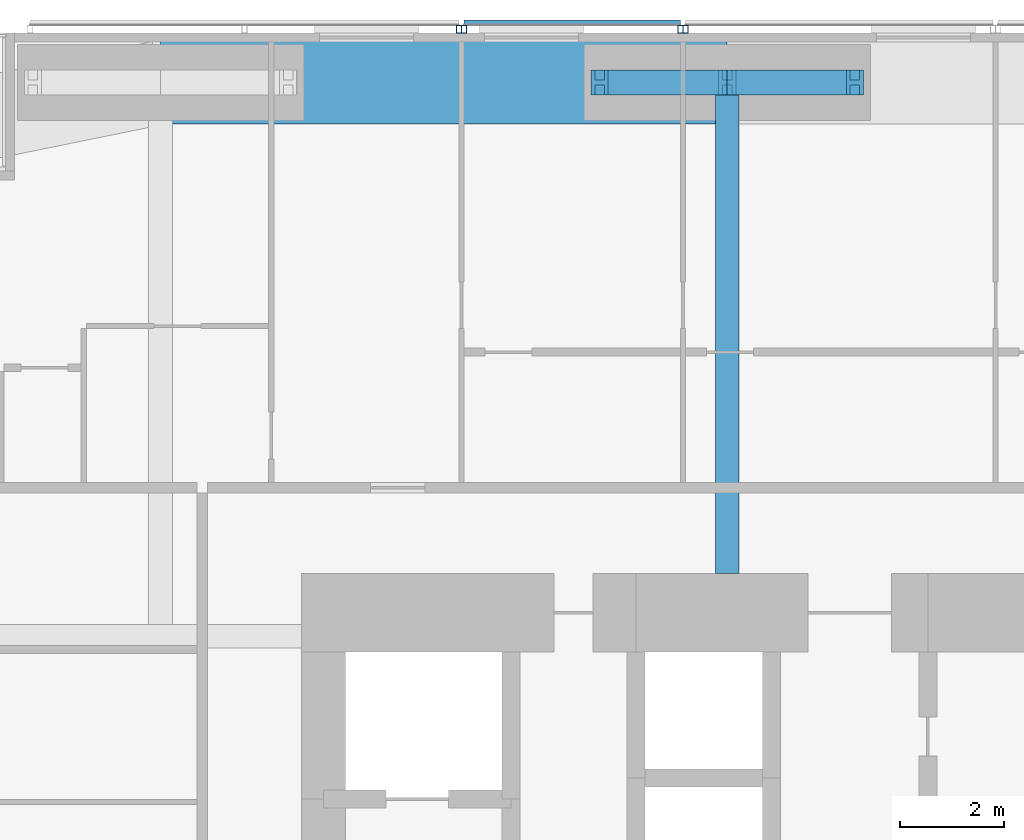
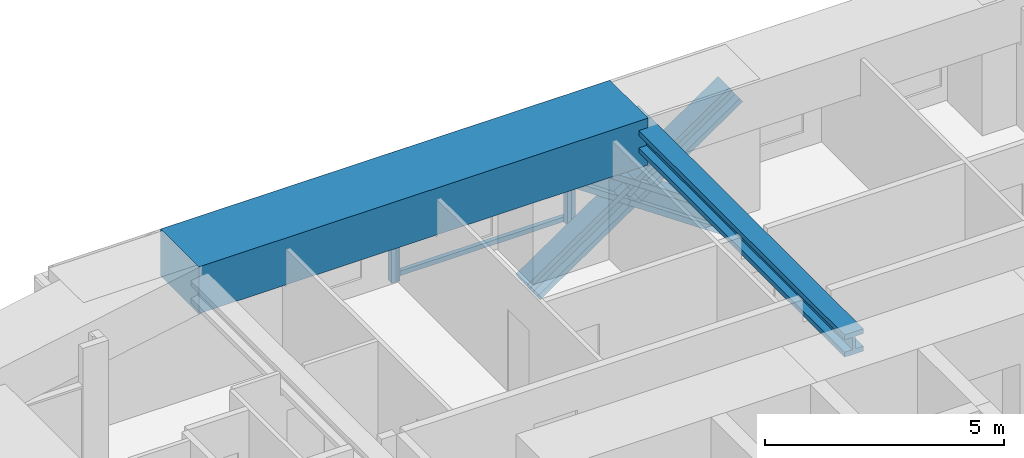
# One storey, part 12 of 23: 9 members, 2 beams, 3 elements without a shape of their own.
"""IFC4 building model written with IfcOpenShell, lengths in metres."""

from ifc_helpers import new_model, si_unit, direction, frame, origin, origin_2d, place, context, subcontext, project, spatial, rectangle, hollow_rectangle, i_section, extrude, material, material_profile, profile_set, type_object, element, aggregate, save


model = new_model("IFC4")

# Units and contexts
model_context = context("Model", 3, precision=1e-05, world=origin(), true_north=direction((0.0, 1.0)))
body_context = subcontext(model_context, "Body", "Model", "MODEL_VIEW")
ifc_project = project(units=[si_unit("LENGTHUNIT", "METRE"), si_unit("AREAUNIT", "SQUARE_METRE"), si_unit("VOLUMEUNIT", "CUBIC_METRE"), si_unit("PLANEANGLEUNIT", "RADIAN"), si_unit("MASSUNIT", "GRAM", prefix="KILO")], contexts=[model_context])

# Site, building, storey
site_placement = place(None, origin())
site = spatial("IfcSite", under=ifc_project, at=site_placement, CompositionType="ELEMENT")
building_placement = place(site_placement, origin())
building = spatial("IfcBuilding", under=site, at=building_placement, Name="Jalousie Tower", CompositionType="ELEMENT")
storey_placement = place(building_placement, frame((0.0, 0.0, 118.25)))
storey = spatial("IfcBuildingStorey", under=building, at=storey_placement, Name="L32", CompositionType="ELEMENT", Elevation=118.25)

# Beam
ifc_material_1 = material(Name="Steel ASTM A992 Grade 50", Category="steel")
ifc_material_profile_1 = material_profile(ifc_material_1, i_section(OverallWidth=0.45458984375, OverallDepth=0.569091796875, WebThickness=0.077880859375, FlangeThickness=0.124755859375, at=origin_2d()), Name="W14X730")
ifc_profile_set_1 = profile_set([ifc_material_profile_1], Name="Steel ASTM A992 Grade 50")
beam_type_1 = type_object("IfcBeamType", Name="LEAN COLLECTOR W14X730", PredefinedType="BEAM", material=ifc_profile_set_1)
beam_1_placement = place(storey_placement, frame((27.75, 37.050048828125, 2.825439453125), z_axis=(0.0, -1.0, 0.0), x_axis=(1.0, 0.0, 0.0)))
element("IfcBeam", 1, at=beam_1_placement, inside=storey, type_object=beam_type_1, Name="Lean collector under L33", PredefinedType="BEAM", context=body_context, shape_type="SweptSolid", body=[
    extrude(i_section(OverallWidth=0.45458984375, OverallDepth=0.569091796875, WebThickness=0.077880859375, FlangeThickness=0.124755859375, at=origin_2d()), origin(), (0.0, 0.0, 1.0), 9.425048828125),
])

# Members
ifc_material_2 = material(Name="Steel ASTM A992 Grade 50", Category="steel")
ifc_material_profile_2 = material_profile(ifc_material_2, i_section(OverallWidth=0.472412109375, OverallDepth=0.5791015625, WebThickness=0.094970703125, FlangeThickness=0.1298828125, at=origin_2d()), Name="W14X808")
ifc_profile_set_2 = profile_set([ifc_material_profile_2], Name="Steel ASTM A992 Grade 50")
member_type_1 = type_object("IfcMemberType", Name="PERIMETER BRACE W14X808", PredefinedType="BRACE", material=ifc_profile_set_2)
for number, where, z_axis, x_axis, name in (
    (2, (25.300048828125, 37.050048828125, -0.60009765625), (0.825500916831, 0.0, 0.564400776321), (0.0, 1.0, 0.0), "Perimeter brace 10 L32 part 1"),
    (3, (27.75, 37.050048828125, 1.074951171875), (0.825500916831, 0.0, 0.564400776321), (0.0, 1.0, 0.0), "Perimeter brace 10 L32 part 2"),
    (4, (30.199951171875, 37.050048828125, -0.60009765625), (-0.825500916831, 0.0, 0.564400776321), (0.0, -1.0, 0.0), "Perimeter brace 10 L32 part 3"),
    (5, (27.75, 37.050048828125, 1.074951171875), (-0.825500916831, 0.0, 0.564400776321), (0.0, -1.0, 0.0), "Perimeter brace 10 L32 part 4"),
):
    element("IfcMember", number, at=place(storey_placement, frame(where, z_axis=z_axis, x_axis=x_axis)), inside=storey, type_object=member_type_1, Name=name, PredefinedType="BRACE", context=body_context, shape_type="SweptSolid", body=[
        extrude(i_section(OverallWidth=0.472412109375, OverallDepth=0.5791015625, WebThickness=0.094970703125, FlangeThickness=0.1298828125, at=origin_2d()), origin(), (0.0, 0.0, 1.0), 2.9677734375),
    ])

# Beam
ifc_material_3 = material(Name="Concrete f'c 40 MPa", Category="concrete")
ifc_material_profile_3 = material_profile(ifc_material_3, rectangle(XDim=1.60009765625, YDim=1.199951171875, at=origin_2d()), Name="RC 1600x1200")
ifc_profile_set_3 = profile_set([ifc_material_profile_3], Name="Concrete f'c 40 MPa")
beam_type_2 = type_object("IfcBeamType", Name="RC BEAM 1600x1200", PredefinedType="BEAM", material=ifc_profile_set_3)
beam_2_placement = place(storey_placement, frame((27.75, 37.050048828125, 2.75), z_axis=(-1.0, 0.0, 0.0), x_axis=(0.0, -1.0, 0.0)))
element("IfcBeam", 6, at=beam_2_placement, inside=storey, type_object=beam_type_2, Name="Edge band beam 10-11 under L33", PredefinedType="BEAM", context=body_context, shape_type="SweptSolid", body=[
    extrude(rectangle(XDim=1.60009765625, YDim=1.199951171875, at=origin_2d()), origin(), (0.0, 0.0, 1.0), 10.875),
])

# Curtain wall, member
ifc_material_4 = material(Name="Perforated aluminium sheet", Category="aluminium")
curtain_wall_type = type_object("IfcCurtainWallType", Name="SOLAR SCREEN SS-1", PredefinedType="USERDEFINED", material=ifc_material_4)
curtain_wall_1_placement = place(storey_placement, origin())
curtain_wall_1 = element("IfcCurtainWall", 7, at=curtain_wall_1_placement, inside=storey, type_object=curtain_wall_type, Name="Solar screen L32", ObjectType="SOLAR SCREEN SS-1", PredefinedType="USERDEFINED")
ifc_material_5 = material(Name="Steel ASTM A500 Grade C", Category="steel")
ifc_material_profile_4 = material_profile(ifc_material_5, hollow_rectangle(XDim=0.1015625, YDim=0.15234375, WallThickness=0.00634765625, at=origin_2d()), Name="HSS6X4X1/4")
ifc_profile_set_4 = profile_set([ifc_material_profile_4], Name="Steel ASTM A500 Grade C")
member_type_2 = type_object("IfcMemberType", Name="SOLAR SCREEN SS-1 MULLION", PredefinedType="MULLION", material=ifc_profile_set_4)
member_1_placement = place(storey_placement, frame((26.949951171875, 38.0712890625, -0.1201171875), z_axis=(0.0, 0.0, 1.0), x_axis=(-1.0, 0.0, 0.0)))
member_1 = element("IfcMember", 8, at=member_1_placement, type_object=member_type_2, Name="SS1 post 2", PredefinedType="MULLION", context=body_context, shape_type="SweptSolid", body=[
    extrude(hollow_rectangle(XDim=0.1015625, YDim=0.15234375, WallThickness=0.00634765625, at=origin_2d()), origin(), (0.0, 0.0, 1.0), 3.230224609375),
])
aggregate(curtain_wall_1, [member_1])

# Curtain wall, members
curtain_wall_2_placement = place(storey_placement, origin())
curtain_wall_2 = element("IfcCurtainWall", 9, at=curtain_wall_2_placement, inside=storey, type_object=curtain_wall_type, Name="Solar screen L32", ObjectType="SOLAR SCREEN SS-1", PredefinedType="USERDEFINED")
member_2_placement = place(storey_placement, frame((26.85009765625, 38.0712890625, -0.1201171875), z_axis=(0.0, 0.0, 1.0), x_axis=(-1.0, 0.0, 0.0)))
member_2 = element("IfcMember", 10, at=member_2_placement, type_object=member_type_2, Name="SS1 post 1", PredefinedType="MULLION", context=body_context, shape_type="SweptSolid", body=[
    extrude(hollow_rectangle(XDim=0.1015625, YDim=0.15234375, WallThickness=0.00634765625, at=origin_2d()), origin(), (0.0, 0.0, 1.0), 3.230224609375),
])
member_3_placement = place(storey_placement, frame((22.699951171875, 38.0712890625, -0.1201171875), z_axis=(0.0, 0.0, 1.0), x_axis=(-1.0, 0.0, 0.0)))
member_3 = element("IfcMember", 11, at=member_3_placement, type_object=member_type_2, Name="SS1 post 2", PredefinedType="MULLION", context=body_context, shape_type="SweptSolid", body=[
    extrude(hollow_rectangle(XDim=0.1015625, YDim=0.15234375, WallThickness=0.00634765625, at=origin_2d()), origin(), (0.0, 0.0, 1.0), 3.230224609375),
])

# Curtain wall, member
curtain_wall_3_placement = place(storey_placement, origin())
curtain_wall_3 = element("IfcCurtainWall", 12, at=curtain_wall_3_placement, inside=storey, type_object=curtain_wall_type, Name="Solar screen L32", ObjectType="SOLAR SCREEN SS-1", PredefinedType="USERDEFINED")
member_4_placement = place(storey_placement, frame((22.60009765625, 38.0712890625, -0.1201171875), z_axis=(0.0, 0.0, 1.0), x_axis=(-1.0, 0.0, 0.0)))
member_4 = element("IfcMember", 13, at=member_4_placement, type_object=member_type_2, Name="SS1 post 1", PredefinedType="MULLION", context=body_context, shape_type="SweptSolid", body=[
    extrude(hollow_rectangle(XDim=0.1015625, YDim=0.15234375, WallThickness=0.00634765625, at=origin_2d()), origin(), (0.0, 0.0, 1.0), 3.230224609375),
])
aggregate(curtain_wall_3, [member_4])

# Member
ifc_material_6 = material(Name="Extruded aluminium screen rail", Category="aluminium")
ifc_material_profile_5 = material_profile(ifc_material_6, rectangle(XDim=0.1015625, YDim=0.1201171875, at=origin_2d()), Name="RAIL 102x120")
ifc_profile_set_5 = profile_set([ifc_material_profile_5], Name="Extruded aluminium screen rail")
member_type_3 = type_object("IfcMemberType", Name="SOLAR SCREEN SS-1 TRANSOM", PredefinedType="USERDEFINED", material=ifc_profile_set_5)
member_5_placement = place(storey_placement, frame((26.85009765625, 38.1982421875, -0.06005859375), z_axis=(-1.0, 0.0, 0.0), x_axis=(0.0, -1.0, 0.0)))
member_5 = element("IfcMember", 14, at=member_5_placement, type_object=member_type_3, Name="SS1 rail", ObjectType="TRANSOM", PredefinedType="USERDEFINED", context=body_context, shape_type="SweptSolid", body=[
    extrude(rectangle(XDim=0.1015625, YDim=0.1201171875, at=origin_2d()), origin(), (0.0, 0.0, 1.0), 4.150146484375),
])

aggregate(curtain_wall_2, [member_2, member_3, member_5])

save(model, "model.ifc")
